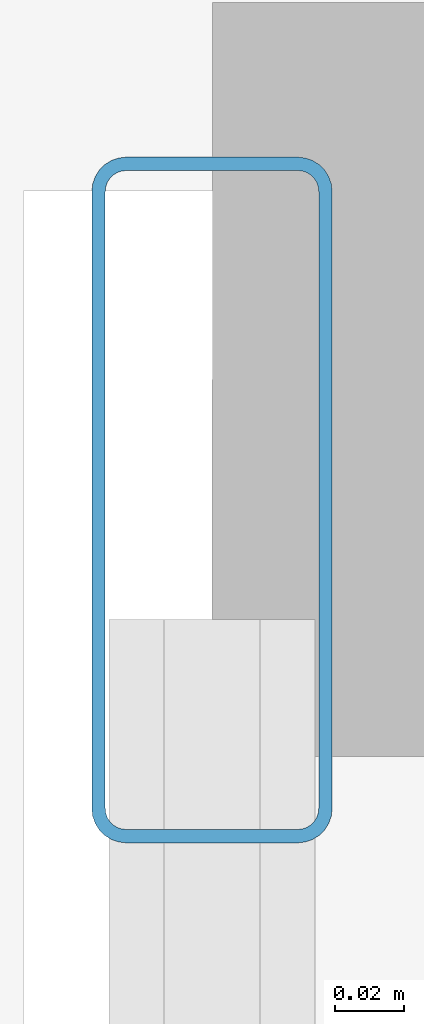
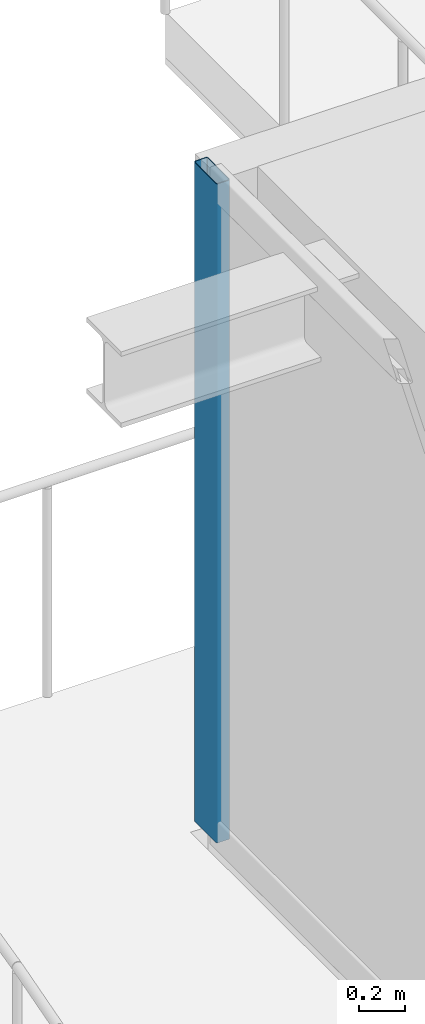
# One storey, part 18 of 41: 1 member, 1 element without a shape of its own.
"""IFC4 building model written with IfcOpenShell, lengths in metres."""

from ifc_helpers import new_model, si_unit, direction, frame, origin, origin_2d, place, context, subcontext, project, spatial, hollow_rectangle, extrude, source, transform, mapped, material, layer, layer_set, material_profile, profile_set, type_object, element, aggregate, save


model = new_model("IFC4")

# Units and contexts
model_context = context("Model", 3, precision=1e-05, world=origin(), true_north=direction((0.0, 1.0)))
body_context = subcontext(model_context, "Body", "Model", "MODEL_VIEW")
ifc_project = project(units=[si_unit("LENGTHUNIT", "METRE"), si_unit("AREAUNIT", "SQUARE_METRE"), si_unit("VOLUMEUNIT", "CUBIC_METRE"), si_unit("PLANEANGLEUNIT", "RADIAN"), si_unit("MASSUNIT", "GRAM", prefix="KILO")], contexts=[model_context])

# Site, building, storey
site_placement = place(None, origin())
site = spatial("IfcSite", under=ifc_project, at=site_placement, CompositionType="ELEMENT")
building_placement = place(site_placement, origin())
building = spatial("IfcBuilding", under=site, at=building_placement, Name="Serunith Strait Residences", CompositionType="ELEMENT")
storey_placement = place(building_placement, frame((0.0, 0.0, 75.449951171875)))
storey = spatial("IfcBuildingStorey", under=building, at=storey_placement, Name="L18", CompositionType="ELEMENT", Elevation=75.449951171875)

# Curtain wall, member
ifc_material = material(Name="Pale-Champagne Anodised Aluminium", Category="aluminium")
ifc_layer = layer(ifc_material, 0.199951171875, Name="Pale-Champagne Anodised Aluminium")
ifc_layer_set = layer_set([ifc_layer], Name="Pale-Champagne Anodised Aluminium")
curtain_wall_type = type_object("IfcCurtainWallType", Name="CW-SYS1", PredefinedType="NOTDEFINED", material=ifc_layer_set)
curtain_wall_placement = place(storey_placement, origin())
curtain_wall = element("IfcCurtainWall", 1, at=curtain_wall_placement, inside=storey, type_object=curtain_wall_type, Name="L18 W Unitised Fritted Curtain Wall", PredefinedType="NOTDEFINED")
ifc_material_profile = material_profile(ifc_material, hollow_rectangle(XDim=0.070068359375, YDim=0.199951171875, WallThickness=0.00390625, InnerFilletRadius=0.006103515625, OuterFilletRadius=0.010009765625, at=origin_2d()), Name="ALU 200x70x4")
ifc_profile_set = profile_set([ifc_material_profile], Name="Pale-Champagne Anodised Aluminium")
member_type = type_object("IfcMemberType", Name="CW-SYS1-MULL", PredefinedType="MULLION", material=ifc_profile_set)
shared_shape = source(origin(), body_context, "Body", "SweptSolid", [
    extrude(hollow_rectangle(XDim=0.070068359375, YDim=0.199951171875, WallThickness=0.00390625, InnerFilletRadius=0.006103515625, OuterFilletRadius=0.010009765625, at=origin_2d()), origin(), (0.0, 0.0, 1.0), 3.47509765625),
])
member_placement = place(storey_placement, frame((6.0, 41.764892578125, 0.0), z_axis=(0.0, 0.0, 1.0), x_axis=(1.0, 0.0, 0.0)))
member = element("IfcMember", 2, at=member_placement, type_object=member_type, Name="CW-1 mullion 1", PredefinedType="MULLION", context=body_context, shape_type="MappedRepresentation", body=[
    mapped(shared_shape, transform((0.0, 0.0, 0.0), scale=1.0)),
])
aggregate(curtain_wall, [member])

save(model, "model.ifc")
